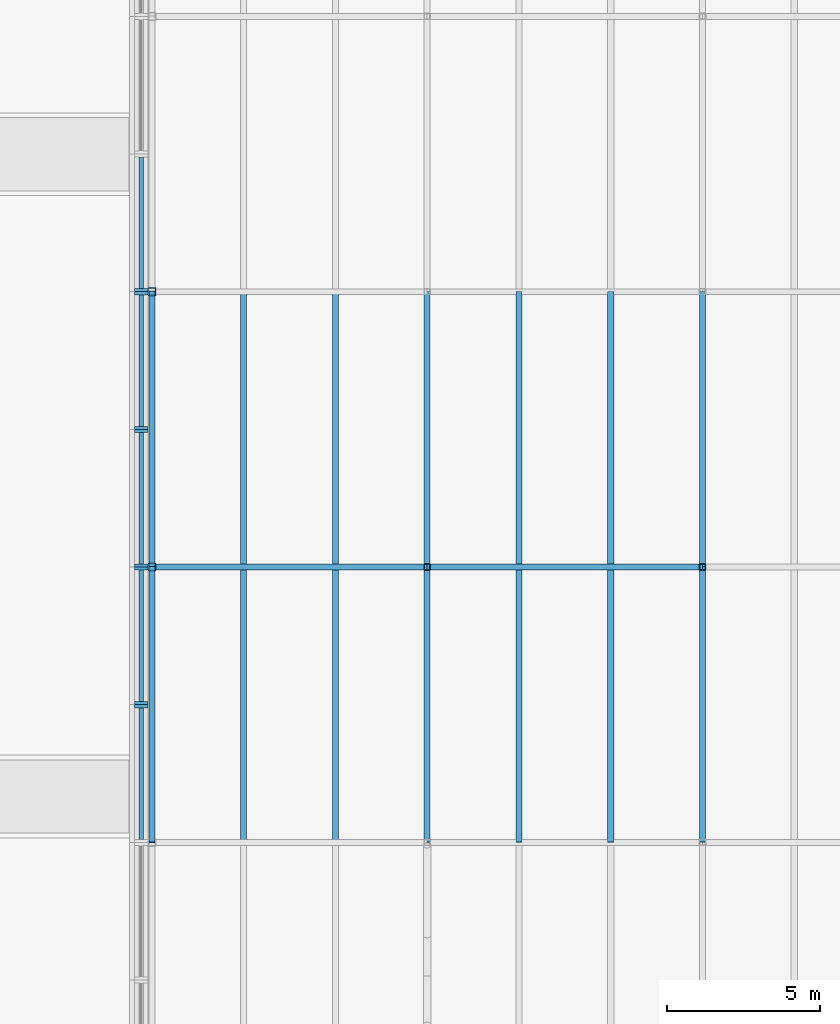
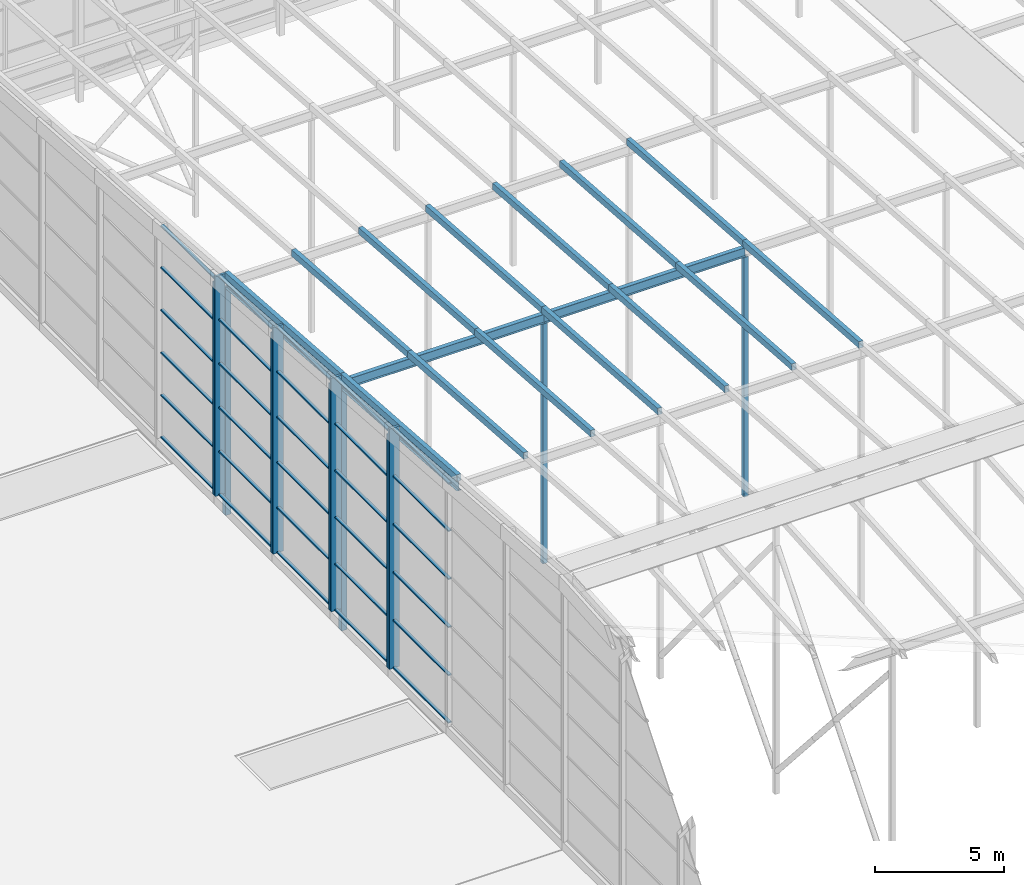
# One storey, part 29 of 84: 56 members, 4 beams, 5 elements without a shape of their own.
"""IFC4 building model written with IfcOpenShell, lengths in metres."""

from ifc_helpers import new_model, si_unit, direction, frame, origin, origin_2d, place, context, subcontext, project, spatial, rectangle, hollow_rectangle, i_section, extrude, material, material_profile, profile_set, type_object, element, aggregate, save


model = new_model("IFC4")

# Units and contexts
model_context = context("Model", 3, precision=1e-05, world=origin(), true_north=direction((0.0, 1.0)))
body_context = subcontext(model_context, "Body", "Model", "MODEL_VIEW")
ifc_project = project(units=[si_unit("LENGTHUNIT", "METRE"), si_unit("AREAUNIT", "SQUARE_METRE"), si_unit("VOLUMEUNIT", "CUBIC_METRE"), si_unit("PLANEANGLEUNIT", "RADIAN"), si_unit("MASSUNIT", "GRAM", prefix="KILO")], contexts=[model_context])

# Site, building, storey
site_placement = place(None, origin())
site = spatial("IfcSite", under=ifc_project, at=site_placement, CompositionType="ELEMENT")
building_placement = place(site_placement, origin())
building = spatial("IfcBuilding", under=site, at=building_placement, Name="Silverbay Arena", CompositionType="ELEMENT")
storey_placement = place(building_placement, frame((0.0, 0.0, 47.10009765625)))
storey = spatial("IfcBuildingStorey", under=building, at=storey_placement, Name="ROOF", CompositionType="ELEMENT", Elevation=47.10009765625)

# Curtain wall, member
ifc_material_1 = material(Name="Aluminium framed glazing", Category="aluminium")
curtain_wall_type_1 = type_object("IfcCurtainWallType", Name="Curtain wall crown 4500 x 11375", PredefinedType="NOTDEFINED", material=ifc_material_1)
curtain_wall_1_placement = place(storey_placement, origin())
curtain_wall_1 = element("IfcCurtainWall", 1, at=curtain_wall_1_placement, inside=storey, type_object=curtain_wall_type_1, Name="ROOF CROWN CURTAIN WALL west bay 16", PredefinedType="NOTDEFINED")
ifc_material_2 = material(Name="Aluminium", Category="aluminium")
ifc_material_profile_1 = material_profile(ifc_material_2, rectangle(XDim=0.449951171875, YDim=0.10009765625, at=origin_2d()), Name="Mullion 100 x 450")
ifc_profile_set_1 = profile_set([ifc_material_profile_1], Name="Aluminium")
member_type_1 = type_object("IfcMemberType", Name="Mullion 100 x 450", PredefinedType="MULLION", material=ifc_profile_set_1)
placement = place(building_placement, frame((0.0, 0.0, 33.5)))
member_1_placement = place(placement, frame((80.64990234375, 94.449951171875, 14.050048828125), z_axis=(0.0, 0.0, 1.0), x_axis=(-1.0, 0.0, 0.0)))
member_1 = element("IfcMember", 2, at=member_1_placement, type_object=member_type_1, Name="CW73 mullion 2", PredefinedType="MULLION", context=body_context, shape_type="SweptSolid", body=[
    extrude(rectangle(XDim=0.449951171875, YDim=0.10009765625, at=origin_2d()), origin(), (0.0, 0.0, 1.0), 11.375),
])

# Curtain wall, members
ifc_material_3 = material(Name="Aluminium framed glazing", Category="aluminium")
curtain_wall_type_2 = type_object("IfcCurtainWallType", Name="Curtain wall crown 4500 x 11050", PredefinedType="NOTDEFINED", material=ifc_material_3)
curtain_wall_2_placement = place(storey_placement, origin())
curtain_wall_2 = element("IfcCurtainWall", 3, at=curtain_wall_2_placement, inside=storey, type_object=curtain_wall_type_2, Name="ROOF CROWN CURTAIN WALL west bay 17", PredefinedType="NOTDEFINED")
member_2_placement = place(placement, frame((80.64990234375, 94.550048828125, 14.050048828125), z_axis=(0.0, 0.0, 1.0), x_axis=(-1.0, 0.0, 0.0)))
member_2 = element("IfcMember", 4, at=member_2_placement, type_object=member_type_1, Name="CW72 mullion 1", PredefinedType="MULLION", context=body_context, shape_type="SweptSolid", body=[
    extrude(rectangle(XDim=0.449951171875, YDim=0.10009765625, at=origin_2d()), origin(), (0.0, 0.0, 1.0), 11.050048828125),
])
member_3_placement = place(placement, frame((80.64990234375, 98.949951171875, 14.050048828125), z_axis=(0.0, 0.0, 1.0), x_axis=(-1.0, 0.0, 0.0)))
member_3 = element("IfcMember", 5, at=member_3_placement, type_object=member_type_1, Name="CW72 mullion 2", PredefinedType="MULLION", context=body_context, shape_type="SweptSolid", body=[
    extrude(rectangle(XDim=0.449951171875, YDim=0.10009765625, at=origin_2d()), origin(), (0.0, 0.0, 1.0), 11.050048828125),
])

ifc_material_4 = material(Name="Aluminium framed glazing", Category="aluminium")
curtain_wall_type_3 = type_object("IfcCurtainWallType", Name="Curtain wall crown 4500 x 10725", PredefinedType="NOTDEFINED", material=ifc_material_4)
curtain_wall_3_placement = place(storey_placement, origin())
curtain_wall_3 = element("IfcCurtainWall", 6, at=curtain_wall_3_placement, inside=storey, type_object=curtain_wall_type_3, Name="ROOF CROWN CURTAIN WALL west bay 18", PredefinedType="NOTDEFINED")
member_4_placement = place(placement, frame((80.64990234375, 99.050048828125, 14.050048828125), z_axis=(0.0, 0.0, 1.0), x_axis=(-1.0, 0.0, 0.0)))
member_4 = element("IfcMember", 7, at=member_4_placement, type_object=member_type_1, Name="CW71 mullion 1", PredefinedType="MULLION", context=body_context, shape_type="SweptSolid", body=[
    extrude(rectangle(XDim=0.449951171875, YDim=0.10009765625, at=origin_2d()), origin(), (0.0, 0.0, 1.0), 10.724853515625),
])
member_5_placement = place(placement, frame((80.64990234375, 103.449951171875, 14.050048828125), z_axis=(0.0, 0.0, 1.0), x_axis=(-1.0, 0.0, 0.0)))
member_5 = element("IfcMember", 8, at=member_5_placement, type_object=member_type_1, Name="CW71 mullion 2", PredefinedType="MULLION", context=body_context, shape_type="SweptSolid", body=[
    extrude(rectangle(XDim=0.449951171875, YDim=0.10009765625, at=origin_2d()), origin(), (0.0, 0.0, 1.0), 10.724853515625),
])

ifc_material_5 = material(Name="Aluminium framed glazing", Category="aluminium")
curtain_wall_type_4 = type_object("IfcCurtainWallType", Name="Curtain wall crown 4500 x 10400", PredefinedType="NOTDEFINED", material=ifc_material_5)
curtain_wall_4_placement = place(storey_placement, origin())
curtain_wall_4 = element("IfcCurtainWall", 9, at=curtain_wall_4_placement, inside=storey, type_object=curtain_wall_type_4, Name="ROOF CROWN CURTAIN WALL west bay 19", PredefinedType="NOTDEFINED")
member_6_placement = place(placement, frame((80.64990234375, 103.550048828125, 14.050048828125), z_axis=(0.0, 0.0, 1.0), x_axis=(-1.0, 0.0, 0.0)))
member_6 = element("IfcMember", 10, at=member_6_placement, type_object=member_type_1, Name="CW70 mullion 1", PredefinedType="MULLION", context=body_context, shape_type="SweptSolid", body=[
    extrude(rectangle(XDim=0.449951171875, YDim=0.10009765625, at=origin_2d()), origin(), (0.0, 0.0, 1.0), 10.39990234375),
])
member_7_placement = place(placement, frame((80.64990234375, 107.949951171875, 14.050048828125), z_axis=(0.0, 0.0, 1.0), x_axis=(-1.0, 0.0, 0.0)))
member_7 = element("IfcMember", 11, at=member_7_placement, type_object=member_type_1, Name="CW70 mullion 2", PredefinedType="MULLION", context=body_context, shape_type="SweptSolid", body=[
    extrude(rectangle(XDim=0.449951171875, YDim=0.10009765625, at=origin_2d()), origin(), (0.0, 0.0, 1.0), 10.39990234375),
])

# Curtain wall, member
ifc_material_6 = material(Name="Aluminium framed glazing", Category="aluminium")
curtain_wall_type_5 = type_object("IfcCurtainWallType", Name="Curtain wall crown 4500 x 10075", PredefinedType="NOTDEFINED", material=ifc_material_6)
curtain_wall_5_placement = place(storey_placement, origin())
curtain_wall_5 = element("IfcCurtainWall", 12, at=curtain_wall_5_placement, inside=storey, type_object=curtain_wall_type_5, Name="ROOF CROWN CURTAIN WALL west bay 20", PredefinedType="NOTDEFINED")
member_8_placement = place(placement, frame((80.64990234375, 108.050048828125, 14.050048828125), z_axis=(0.0, 0.0, 1.0), x_axis=(-1.0, 0.0, 0.0)))
member_8 = element("IfcMember", 13, at=member_8_placement, type_object=member_type_1, Name="CW69 mullion 1", PredefinedType="MULLION", context=body_context, shape_type="SweptSolid", body=[
    extrude(rectangle(XDim=0.449951171875, YDim=0.10009765625, at=origin_2d()), origin(), (0.0, 0.0, 1.0), 10.074951171875),
])

# Members
ifc_material_7 = material(Name="Steel S355", Category="steel")
ifc_material_profile_2 = material_profile(ifc_material_7, hollow_rectangle(XDim=0.199951171875, YDim=0.300048828125, WallThickness=0.00634765625, at=origin_2d()), Name="RHS 300x200x6.3")
ifc_profile_set_2 = profile_set([ifc_material_profile_2], Name="Steel S355")
member_type_2 = type_object("IfcMemberType", Name="Purlin RHS 300x200x6.3", PredefinedType="PURLIN", material=ifc_profile_set_2)
for number, where, z_axis, x_axis, name in (
    (14, (84.0, 90.0, 11.99951171875), (0.0, 0.997402911363, -0.072023832195), (-1.0, 0.0, 0.0), "ROOF PURLIN crown line 02 bay 08"),
    (15, (84.0, 99.0, 11.349609375), (0.0, 0.997400967367, -0.07205074805), (-1.0, 0.0, 0.0), "ROOF PURLIN crown line 02 bay 09"),
    (16, (87.0, 90.0, 11.99951171875), (0.0, 0.997402911363, -0.072023832195), (-1.0, 0.0, 0.0), "ROOF PURLIN crown line 03 bay 08"),
    (17, (87.0, 99.0, 11.349609375), (0.0, 0.997400967367, -0.07205074805), (-1.0, 0.0, 0.0), "ROOF PURLIN crown line 03 bay 09"),
    (18, (90.0, 90.0, 11.99951171875), (0.0, 0.997402911363, -0.072023832195), (-1.0, 0.0, 0.0), "ROOF PURLIN crown line 04 bay 08"),
    (19, (90.0, 99.0, 11.349609375), (0.0, 0.997400967367, -0.07205074805), (-1.0, 0.0, 0.0), "ROOF PURLIN crown line 04 bay 09"),
    (20, (93.0, 90.0, 11.99951171875), (0.0, 0.997402911363, -0.072023832195), (-1.0, 0.0, 0.0), "ROOF PURLIN crown line 05 bay 08"),
    (21, (93.0, 99.0, 11.349609375), (0.0, 0.997400967367, -0.07205074805), (-1.0, 0.0, 0.0), "ROOF PURLIN crown line 05 bay 09"),
    (22, (96.0, 90.0, 11.99951171875), (0.0, 0.997402911363, -0.072023832195), (-1.0, 0.0, 0.0), "ROOF PURLIN crown line 06 bay 08"),
    (23, (96.0, 99.0, 11.349609375), (0.0, 0.997400967367, -0.07205074805), (-1.0, 0.0, 0.0), "ROOF PURLIN crown line 06 bay 09"),
    (24, (99.0, 90.0, 11.99951171875), (0.0, 0.997402911363, -0.072023832195), (-1.0, 0.0, 0.0), "ROOF PURLIN crown line 07 bay 08"),
    (25, (99.0, 99.0, 11.349609375), (0.0, 0.997400967367, -0.07205074805), (-1.0, 0.0, 0.0), "ROOF PURLIN crown line 07 bay 09"),
):
    element("IfcMember", number, at=place(storey_placement, frame(where, z_axis=z_axis, x_axis=x_axis)), inside=storey, type_object=member_type_2, Name=name, PredefinedType="PURLIN", context=body_context, shape_type="SweptSolid", body=[
        extrude(hollow_rectangle(XDim=0.199951171875, YDim=0.300048828125, WallThickness=0.00634765625, at=origin_2d()), origin(), (0.0, 0.0, 1.0), 9.0234375),
    ])
ifc_material_8 = material(Name="Steel S355", Category="steel")
ifc_material_profile_3 = material_profile(ifc_material_8, hollow_rectangle(XDim=0.199951171875, YDim=0.300048828125, WallThickness=0.008056640625, at=origin_2d()), Name="RHS 300x200x8")
ifc_profile_set_3 = profile_set([ifc_material_profile_3], Name="Steel S355")
member_type_3 = type_object("IfcMemberType", Name="Purlin RHS 300x200x8", PredefinedType="PURLIN", material=ifc_profile_set_3)
for number, where, z_axis, x_axis, name in (
    (26, (81.0, 90.0, 11.99951171875), (0.0, 0.997402911363, -0.072023832195), (-1.0, 0.0, 0.0), "ROOF PURLIN crown line 01 bay 08"),
    (27, (81.0, 99.0, 11.349609375), (0.0, 0.997400967367, -0.07205074805), (-1.0, 0.0, 0.0), "ROOF PURLIN crown line 01 bay 09"),
):
    element("IfcMember", number, at=place(storey_placement, frame(where, z_axis=z_axis, x_axis=x_axis)), inside=storey, type_object=member_type_3, Name=name, PredefinedType="PURLIN", context=body_context, shape_type="SweptSolid", body=[
        extrude(hollow_rectangle(XDim=0.199951171875, YDim=0.300048828125, WallThickness=0.008056640625, at=origin_2d()), origin(), (0.0, 0.0, 1.0), 9.0234375),
    ])

# Beams
ifc_material_9 = material(Name="Steel S355", Category="steel")
ifc_material_profile_4 = material_profile(ifc_material_9, i_section(OverallWidth=0.18994140625, OverallDepth=0.453369140625, WebThickness=0.008544921875, FlangeThickness=0.0126953125, at=origin_2d()), Name="UB 457x191x67")
ifc_profile_set_4 = profile_set([ifc_material_profile_4], Name="Steel S355")
beam_type = type_object("IfcBeamType", Name="Ring beam UB 457x191x67", PredefinedType="BEAM", material=ifc_profile_set_4)
beam_1_placement = place(storey_placement, frame((81.094970703125, 99.0, 10.972412109375), z_axis=(1.0, 0.0, 0.0), x_axis=(0.0, 1.0, 0.0)))
element("IfcBeam", 28, at=beam_1_placement, inside=storey, type_object=beam_type, Name="RING BEAM crown row 09 10-11", PredefinedType="BEAM", context=body_context, shape_type="SweptSolid", body=[
    extrude(i_section(OverallWidth=0.18994140625, OverallDepth=0.453369140625, WebThickness=0.008544921875, FlangeThickness=0.0126953125, at=origin_2d()), origin(), (0.0, 0.0, 1.0), 8.905029296875),
])
beam_2_placement = place(storey_placement, frame((90.0, 99.0, 10.972412109375), z_axis=(1.0, 0.0, 0.0), x_axis=(0.0, 1.0, 0.0)))
element("IfcBeam", 29, at=beam_2_placement, inside=storey, type_object=beam_type, Name="RING BEAM crown row 09 11-12", PredefinedType="BEAM", context=body_context, shape_type="SweptSolid", body=[
    extrude(i_section(OverallWidth=0.18994140625, OverallDepth=0.453369140625, WebThickness=0.008544921875, FlangeThickness=0.0126953125, at=origin_2d()), origin(), (0.0, 0.0, 1.0), 9.0),
])
for number, where, z_axis, x_axis, name in (
    (30, (81.0, 90.0, 11.622314453125), (0.0, 0.997402911363, -0.072023832195), (-1.0, 0.0, 0.0), "RING BEAM crown west edge 08"),
    (31, (81.0, 99.0, 10.972412109375), (0.0, 0.997402911363, -0.072023832195), (-1.0, 0.0, 0.0), "RING BEAM crown west edge 09"),
):
    element("IfcBeam", number, at=place(storey_placement, frame(where, z_axis=z_axis, x_axis=x_axis)), inside=storey, type_object=beam_type, Name=name, PredefinedType="BEAM", context=body_context, shape_type="SweptSolid", body=[
        extrude(i_section(OverallWidth=0.18994140625, OverallDepth=0.453369140625, WebThickness=0.008544921875, FlangeThickness=0.0126953125, at=origin_2d()), origin(), (0.0, 0.0, 1.0), 9.0234375),
    ])

# Members
ifc_material_10 = material(Name="Steel S355", Category="steel")
ifc_material_profile_5 = material_profile(ifc_material_10, hollow_rectangle(XDim=0.199951171875, YDim=0.199951171875, WallThickness=0.008056640625, at=origin_2d()), Name="SHS 200x200x8")
ifc_profile_set_5 = profile_set([ifc_material_profile_5], Name="Steel S355")
member_type_4 = type_object("IfcMemberType", Name="Roof post SHS 200x200x8", PredefinedType="POST", material=ifc_profile_set_5)
for number, where, z_axis, x_axis, name in (
    (32, (90.0, 99.0, -0.60009765625), (0.0, 0.0, 1.0), (1.0, 0.0, 0.0), "ROOF CROWN POST 11 row 09"),
    (33, (99.0, 99.0, -0.60009765625), (0.0, 0.0, 1.0), (1.0, 0.0, 0.0), "ROOF CROWN POST 12 row 09"),
):
    element("IfcMember", number, at=place(storey_placement, frame(where, z_axis=z_axis, x_axis=x_axis)), inside=storey, type_object=member_type_4, Name=name, PredefinedType="POST", context=body_context, shape_type="SweptSolid", body=[
        extrude(hollow_rectangle(XDim=0.199951171875, YDim=0.199951171875, WallThickness=0.008056640625, at=origin_2d()), origin(), (0.0, 0.0, 1.0), 11.345703125),
    ])
ifc_material_11 = material(Name="Steel S355", Category="steel")
ifc_material_profile_6 = material_profile(ifc_material_11, hollow_rectangle(XDim=0.25, YDim=0.25, WallThickness=0.008056640625, at=origin_2d()), Name="SHS 250x250x8")
ifc_profile_set_6 = profile_set([ifc_material_profile_6], Name="Steel S355")
member_type_5 = type_object("IfcMemberType", Name="Roof post SHS 250x250x8", PredefinedType="POST", material=ifc_profile_set_6)
member_9_placement = place(storey_placement, frame((81.0, 99.0, -0.60009765625), z_axis=(0.0, 0.0, 1.0), x_axis=(1.0, 0.0, 0.0)))
element("IfcMember", 34, at=member_9_placement, inside=storey, type_object=member_type_5, Name="ROOF CROWN POST 10 row 09", PredefinedType="POST", context=body_context, shape_type="SweptSolid", body=[
    extrude(hollow_rectangle(XDim=0.25, YDim=0.25, WallThickness=0.008056640625, at=origin_2d()), origin(), (0.0, 0.0, 1.0), 11.345703125),
])
member_10_placement = place(storey_placement, frame((81.0, 108.0, -0.60009765625), z_axis=(0.0, 0.0, 1.0), x_axis=(1.0, 0.0, 0.0)))
element("IfcMember", 35, at=member_10_placement, inside=storey, type_object=member_type_5, Name="ROOF CROWN POST 10 row 10", PredefinedType="POST", context=body_context, shape_type="SweptSolid", body=[
    extrude(hollow_rectangle(XDim=0.25, YDim=0.25, WallThickness=0.008056640625, at=origin_2d()), origin(), (0.0, 0.0, 1.0), 10.69580078125),
])

# Member
ifc_material_12 = material(Name="Aluminium", Category="aluminium")
ifc_material_profile_7 = material_profile(ifc_material_12, rectangle(XDim=0.139892578125, YDim=0.06005859375, at=origin_2d()), Name="Transom 60 x 140")
ifc_profile_set_7 = profile_set([ifc_material_profile_7], Name="Aluminium")
member_type_6 = type_object("IfcMemberType", Name="Transom 60 x 140", PredefinedType="USERDEFINED", material=ifc_profile_set_7)
member_11_placement = place(placement, frame((80.64990234375, 90.10009765625, 14.080078125), z_axis=(0.0, 1.0, 0.0), x_axis=(-1.0, 0.0, 0.0)))
member_11 = element("IfcMember", 36, at=member_11_placement, type_object=member_type_6, Name="CW73 transom 1.1", ObjectType="TRANSOM", PredefinedType="USERDEFINED", context=body_context, shape_type="SweptSolid", body=[
    extrude(rectangle(XDim=0.139892578125, YDim=0.06005859375, at=origin_2d()), origin(), (0.0, 0.0, 1.0), 4.2998046875),
])

member_12_placement = place(placement, frame((80.64990234375, 90.10009765625, 16.324951171875), z_axis=(0.0, 1.0, 0.0), x_axis=(-1.0, 0.0, 0.0)))
member_12 = element("IfcMember", 37, at=member_12_placement, type_object=member_type_6, Name="CW73 transom 1.2", ObjectType="TRANSOM", PredefinedType="USERDEFINED", context=body_context, shape_type="SweptSolid", body=[
    extrude(rectangle(XDim=0.139892578125, YDim=0.06005859375, at=origin_2d()), origin(), (0.0, 0.0, 1.0), 4.2998046875),
])

member_13_placement = place(placement, frame((80.64990234375, 90.10009765625, 18.60009765625), z_axis=(0.0, 1.0, 0.0), x_axis=(-1.0, 0.0, 0.0)))
member_13 = element("IfcMember", 38, at=member_13_placement, type_object=member_type_6, Name="CW73 transom 1.3", ObjectType="TRANSOM", PredefinedType="USERDEFINED", context=body_context, shape_type="SweptSolid", body=[
    extrude(rectangle(XDim=0.139892578125, YDim=0.06005859375, at=origin_2d()), origin(), (0.0, 0.0, 1.0), 4.2998046875),
])

member_14_placement = place(placement, frame((80.64990234375, 90.10009765625, 20.875), z_axis=(0.0, 1.0, 0.0), x_axis=(-1.0, 0.0, 0.0)))
member_14 = element("IfcMember", 39, at=member_14_placement, type_object=member_type_6, Name="CW73 transom 1.4", ObjectType="TRANSOM", PredefinedType="USERDEFINED", context=body_context, shape_type="SweptSolid", body=[
    extrude(rectangle(XDim=0.139892578125, YDim=0.06005859375, at=origin_2d()), origin(), (0.0, 0.0, 1.0), 4.2998046875),
])

member_15_placement = place(placement, frame((80.64990234375, 90.10009765625, 23.14990234375), z_axis=(0.0, 1.0, 0.0), x_axis=(-1.0, 0.0, 0.0)))
member_15 = element("IfcMember", 40, at=member_15_placement, type_object=member_type_6, Name="CW73 transom 1.5", ObjectType="TRANSOM", PredefinedType="USERDEFINED", context=body_context, shape_type="SweptSolid", body=[
    extrude(rectangle(XDim=0.139892578125, YDim=0.06005859375, at=origin_2d()), origin(), (0.0, 0.0, 1.0), 4.2998046875),
])

member_16_placement = place(placement, frame((80.64990234375, 90.10009765625, 25.39501953125), z_axis=(0.0, 1.0, 0.0), x_axis=(-1.0, 0.0, 0.0)))
member_16 = element("IfcMember", 41, at=member_16_placement, type_object=member_type_6, Name="CW73 transom 1.6", ObjectType="TRANSOM", PredefinedType="USERDEFINED", context=body_context, shape_type="SweptSolid", body=[
    extrude(rectangle(XDim=0.139892578125, YDim=0.06005859375, at=origin_2d()), origin(), (0.0, 0.0, 1.0), 4.2998046875),
])

aggregate(curtain_wall_1, [member_1, member_11, member_12, member_13, member_14, member_15, member_16])

member_17_placement = place(placement, frame((80.64990234375, 94.60009765625, 14.080078125), z_axis=(0.0, 1.0, 0.0), x_axis=(-1.0, 0.0, 0.0)))
member_17 = element("IfcMember", 42, at=member_17_placement, type_object=member_type_6, Name="CW72 transom 1.1", ObjectType="TRANSOM", PredefinedType="USERDEFINED", context=body_context, shape_type="SweptSolid", body=[
    extrude(rectangle(XDim=0.139892578125, YDim=0.06005859375, at=origin_2d()), origin(), (0.0, 0.0, 1.0), 4.2998046875),
])

member_18_placement = place(placement, frame((80.64990234375, 94.60009765625, 16.260009765625), z_axis=(0.0, 1.0, 0.0), x_axis=(-1.0, 0.0, 0.0)))
member_18 = element("IfcMember", 43, at=member_18_placement, type_object=member_type_6, Name="CW72 transom 1.2", ObjectType="TRANSOM", PredefinedType="USERDEFINED", context=body_context, shape_type="SweptSolid", body=[
    extrude(rectangle(XDim=0.139892578125, YDim=0.06005859375, at=origin_2d()), origin(), (0.0, 0.0, 1.0), 4.2998046875),
])

member_19_placement = place(placement, frame((80.64990234375, 94.60009765625, 18.469970703125), z_axis=(0.0, 1.0, 0.0), x_axis=(-1.0, 0.0, 0.0)))
member_19 = element("IfcMember", 44, at=member_19_placement, type_object=member_type_6, Name="CW72 transom 1.3", ObjectType="TRANSOM", PredefinedType="USERDEFINED", context=body_context, shape_type="SweptSolid", body=[
    extrude(rectangle(XDim=0.139892578125, YDim=0.06005859375, at=origin_2d()), origin(), (0.0, 0.0, 1.0), 4.2998046875),
])

member_20_placement = place(placement, frame((80.64990234375, 94.60009765625, 20.679931640625), z_axis=(0.0, 1.0, 0.0), x_axis=(-1.0, 0.0, 0.0)))
member_20 = element("IfcMember", 45, at=member_20_placement, type_object=member_type_6, Name="CW72 transom 1.4", ObjectType="TRANSOM", PredefinedType="USERDEFINED", context=body_context, shape_type="SweptSolid", body=[
    extrude(rectangle(XDim=0.139892578125, YDim=0.06005859375, at=origin_2d()), origin(), (0.0, 0.0, 1.0), 4.2998046875),
])

member_21_placement = place(placement, frame((80.64990234375, 94.60009765625, 22.889892578125), z_axis=(0.0, 1.0, 0.0), x_axis=(-1.0, 0.0, 0.0)))
member_21 = element("IfcMember", 46, at=member_21_placement, type_object=member_type_6, Name="CW72 transom 1.5", ObjectType="TRANSOM", PredefinedType="USERDEFINED", context=body_context, shape_type="SweptSolid", body=[
    extrude(rectangle(XDim=0.139892578125, YDim=0.06005859375, at=origin_2d()), origin(), (0.0, 0.0, 1.0), 4.2998046875),
])

member_22_placement = place(placement, frame((80.64990234375, 94.60009765625, 25.070068359375), z_axis=(0.0, 1.0, 0.0), x_axis=(-1.0, 0.0, 0.0)))
member_22 = element("IfcMember", 47, at=member_22_placement, type_object=member_type_6, Name="CW72 transom 1.6", ObjectType="TRANSOM", PredefinedType="USERDEFINED", context=body_context, shape_type="SweptSolid", body=[
    extrude(rectangle(XDim=0.139892578125, YDim=0.06005859375, at=origin_2d()), origin(), (0.0, 0.0, 1.0), 4.2998046875),
])

aggregate(curtain_wall_2, [member_2, member_3, member_17, member_18, member_19, member_20, member_21, member_22])

member_23_placement = place(placement, frame((80.64990234375, 99.10009765625, 14.080078125), z_axis=(0.0, 1.0, 0.0), x_axis=(-1.0, 0.0, 0.0)))
member_23 = element("IfcMember", 48, at=member_23_placement, type_object=member_type_6, Name="CW71 transom 1.1", ObjectType="TRANSOM", PredefinedType="USERDEFINED", context=body_context, shape_type="SweptSolid", body=[
    extrude(rectangle(XDim=0.139892578125, YDim=0.06005859375, at=origin_2d()), origin(), (0.0, 0.0, 1.0), 4.2998046875),
])

member_24_placement = place(placement, frame((80.64990234375, 99.10009765625, 16.195068359375), z_axis=(0.0, 1.0, 0.0), x_axis=(-1.0, 0.0, 0.0)))
member_24 = element("IfcMember", 49, at=member_24_placement, type_object=member_type_6, Name="CW71 transom 1.2", ObjectType="TRANSOM", PredefinedType="USERDEFINED", context=body_context, shape_type="SweptSolid", body=[
    extrude(rectangle(XDim=0.139892578125, YDim=0.06005859375, at=origin_2d()), origin(), (0.0, 0.0, 1.0), 4.2998046875),
])

member_25_placement = place(placement, frame((80.64990234375, 99.10009765625, 18.340087890625), z_axis=(0.0, 1.0, 0.0), x_axis=(-1.0, 0.0, 0.0)))
member_25 = element("IfcMember", 50, at=member_25_placement, type_object=member_type_6, Name="CW71 transom 1.3", ObjectType="TRANSOM", PredefinedType="USERDEFINED", context=body_context, shape_type="SweptSolid", body=[
    extrude(rectangle(XDim=0.139892578125, YDim=0.06005859375, at=origin_2d()), origin(), (0.0, 0.0, 1.0), 4.2998046875),
])

member_26_placement = place(placement, frame((80.64990234375, 99.10009765625, 20.485107421875), z_axis=(0.0, 1.0, 0.0), x_axis=(-1.0, 0.0, 0.0)))
member_26 = element("IfcMember", 51, at=member_26_placement, type_object=member_type_6, Name="CW71 transom 1.4", ObjectType="TRANSOM", PredefinedType="USERDEFINED", context=body_context, shape_type="SweptSolid", body=[
    extrude(rectangle(XDim=0.139892578125, YDim=0.06005859375, at=origin_2d()), origin(), (0.0, 0.0, 1.0), 4.2998046875),
])

member_27_placement = place(placement, frame((80.64990234375, 99.10009765625, 22.6298828125), z_axis=(0.0, 1.0, 0.0), x_axis=(-1.0, 0.0, 0.0)))
member_27 = element("IfcMember", 52, at=member_27_placement, type_object=member_type_6, Name="CW71 transom 1.5", ObjectType="TRANSOM", PredefinedType="USERDEFINED", context=body_context, shape_type="SweptSolid", body=[
    extrude(rectangle(XDim=0.139892578125, YDim=0.06005859375, at=origin_2d()), origin(), (0.0, 0.0, 1.0), 4.2998046875),
])

member_28_placement = place(placement, frame((80.64990234375, 99.10009765625, 24.7451171875), z_axis=(0.0, 1.0, 0.0), x_axis=(-1.0, 0.0, 0.0)))
member_28 = element("IfcMember", 53, at=member_28_placement, type_object=member_type_6, Name="CW71 transom 1.6", ObjectType="TRANSOM", PredefinedType="USERDEFINED", context=body_context, shape_type="SweptSolid", body=[
    extrude(rectangle(XDim=0.139892578125, YDim=0.06005859375, at=origin_2d()), origin(), (0.0, 0.0, 1.0), 4.2998046875),
])

aggregate(curtain_wall_3, [member_4, member_5, member_23, member_24, member_25, member_26, member_27, member_28])

member_29_placement = place(placement, frame((80.64990234375, 103.60009765625, 14.080078125), z_axis=(0.0, 1.0, 0.0), x_axis=(-1.0, 0.0, 0.0)))
member_29 = element("IfcMember", 54, at=member_29_placement, type_object=member_type_6, Name="CW70 transom 1.1", ObjectType="TRANSOM", PredefinedType="USERDEFINED", context=body_context, shape_type="SweptSolid", body=[
    extrude(rectangle(XDim=0.139892578125, YDim=0.06005859375, at=origin_2d()), origin(), (0.0, 0.0, 1.0), 4.2998046875),
])

member_30_placement = place(placement, frame((80.64990234375, 103.60009765625, 16.1298828125), z_axis=(0.0, 1.0, 0.0), x_axis=(-1.0, 0.0, 0.0)))
member_30 = element("IfcMember", 55, at=member_30_placement, type_object=member_type_6, Name="CW70 transom 1.2", ObjectType="TRANSOM", PredefinedType="USERDEFINED", context=body_context, shape_type="SweptSolid", body=[
    extrude(rectangle(XDim=0.139892578125, YDim=0.06005859375, at=origin_2d()), origin(), (0.0, 0.0, 1.0), 4.2998046875),
])

member_31_placement = place(placement, frame((80.64990234375, 103.60009765625, 18.2099609375), z_axis=(0.0, 1.0, 0.0), x_axis=(-1.0, 0.0, 0.0)))
member_31 = element("IfcMember", 56, at=member_31_placement, type_object=member_type_6, Name="CW70 transom 1.3", ObjectType="TRANSOM", PredefinedType="USERDEFINED", context=body_context, shape_type="SweptSolid", body=[
    extrude(rectangle(XDim=0.139892578125, YDim=0.06005859375, at=origin_2d()), origin(), (0.0, 0.0, 1.0), 4.2998046875),
])

member_32_placement = place(placement, frame((80.64990234375, 103.60009765625, 20.2900390625), z_axis=(0.0, 1.0, 0.0), x_axis=(-1.0, 0.0, 0.0)))
member_32 = element("IfcMember", 57, at=member_32_placement, type_object=member_type_6, Name="CW70 transom 1.4", ObjectType="TRANSOM", PredefinedType="USERDEFINED", context=body_context, shape_type="SweptSolid", body=[
    extrude(rectangle(XDim=0.139892578125, YDim=0.06005859375, at=origin_2d()), origin(), (0.0, 0.0, 1.0), 4.2998046875),
])

member_33_placement = place(placement, frame((80.64990234375, 103.60009765625, 22.3701171875), z_axis=(0.0, 1.0, 0.0), x_axis=(-1.0, 0.0, 0.0)))
member_33 = element("IfcMember", 58, at=member_33_placement, type_object=member_type_6, Name="CW70 transom 1.5", ObjectType="TRANSOM", PredefinedType="USERDEFINED", context=body_context, shape_type="SweptSolid", body=[
    extrude(rectangle(XDim=0.139892578125, YDim=0.06005859375, at=origin_2d()), origin(), (0.0, 0.0, 1.0), 4.2998046875),
])

member_34_placement = place(placement, frame((80.64990234375, 103.60009765625, 24.419921875), z_axis=(0.0, 1.0, 0.0), x_axis=(-1.0, 0.0, 0.0)))
member_34 = element("IfcMember", 59, at=member_34_placement, type_object=member_type_6, Name="CW70 transom 1.6", ObjectType="TRANSOM", PredefinedType="USERDEFINED", context=body_context, shape_type="SweptSolid", body=[
    extrude(rectangle(XDim=0.139892578125, YDim=0.06005859375, at=origin_2d()), origin(), (0.0, 0.0, 1.0), 4.2998046875),
])

aggregate(curtain_wall_4, [member_6, member_7, member_29, member_30, member_31, member_32, member_33, member_34])

member_35_placement = place(placement, frame((80.64990234375, 108.10009765625, 14.080078125), z_axis=(0.0, 1.0, 0.0), x_axis=(-1.0, 0.0, 0.0)))
member_35 = element("IfcMember", 60, at=member_35_placement, type_object=member_type_6, Name="CW69 transom 1.1", ObjectType="TRANSOM", PredefinedType="USERDEFINED", context=body_context, shape_type="SweptSolid", body=[
    extrude(rectangle(XDim=0.139892578125, YDim=0.06005859375, at=origin_2d()), origin(), (0.0, 0.0, 1.0), 4.2998046875),
])

member_36_placement = place(placement, frame((80.64990234375, 108.10009765625, 16.06494140625), z_axis=(0.0, 1.0, 0.0), x_axis=(-1.0, 0.0, 0.0)))
member_36 = element("IfcMember", 61, at=member_36_placement, type_object=member_type_6, Name="CW69 transom 1.2", ObjectType="TRANSOM", PredefinedType="USERDEFINED", context=body_context, shape_type="SweptSolid", body=[
    extrude(rectangle(XDim=0.139892578125, YDim=0.06005859375, at=origin_2d()), origin(), (0.0, 0.0, 1.0), 4.2998046875),
])

member_37_placement = place(placement, frame((80.64990234375, 108.10009765625, 18.080078125), z_axis=(0.0, 1.0, 0.0), x_axis=(-1.0, 0.0, 0.0)))
member_37 = element("IfcMember", 62, at=member_37_placement, type_object=member_type_6, Name="CW69 transom 1.3", ObjectType="TRANSOM", PredefinedType="USERDEFINED", context=body_context, shape_type="SweptSolid", body=[
    extrude(rectangle(XDim=0.139892578125, YDim=0.06005859375, at=origin_2d()), origin(), (0.0, 0.0, 1.0), 4.2998046875),
])

member_38_placement = place(placement, frame((80.64990234375, 108.10009765625, 20.094970703125), z_axis=(0.0, 1.0, 0.0), x_axis=(-1.0, 0.0, 0.0)))
member_38 = element("IfcMember", 63, at=member_38_placement, type_object=member_type_6, Name="CW69 transom 1.4", ObjectType="TRANSOM", PredefinedType="USERDEFINED", context=body_context, shape_type="SweptSolid", body=[
    extrude(rectangle(XDim=0.139892578125, YDim=0.06005859375, at=origin_2d()), origin(), (0.0, 0.0, 1.0), 4.2998046875),
])

member_39_placement = place(placement, frame((80.64990234375, 108.10009765625, 22.110107421875), z_axis=(0.0, 1.0, 0.0), x_axis=(-1.0, 0.0, 0.0)))
member_39 = element("IfcMember", 64, at=member_39_placement, type_object=member_type_6, Name="CW69 transom 1.5", ObjectType="TRANSOM", PredefinedType="USERDEFINED", context=body_context, shape_type="SweptSolid", body=[
    extrude(rectangle(XDim=0.139892578125, YDim=0.06005859375, at=origin_2d()), origin(), (0.0, 0.0, 1.0), 4.2998046875),
])

member_40_placement = place(placement, frame((80.64990234375, 108.10009765625, 24.094970703125), z_axis=(0.0, 1.0, 0.0), x_axis=(-1.0, 0.0, 0.0)))
member_40 = element("IfcMember", 65, at=member_40_placement, type_object=member_type_6, Name="CW69 transom 1.6", ObjectType="TRANSOM", PredefinedType="USERDEFINED", context=body_context, shape_type="SweptSolid", body=[
    extrude(rectangle(XDim=0.139892578125, YDim=0.06005859375, at=origin_2d()), origin(), (0.0, 0.0, 1.0), 4.2998046875),
])

aggregate(curtain_wall_5, [member_8, member_35, member_36, member_37, member_38, member_39, member_40])

save(model, "model.ifc")
